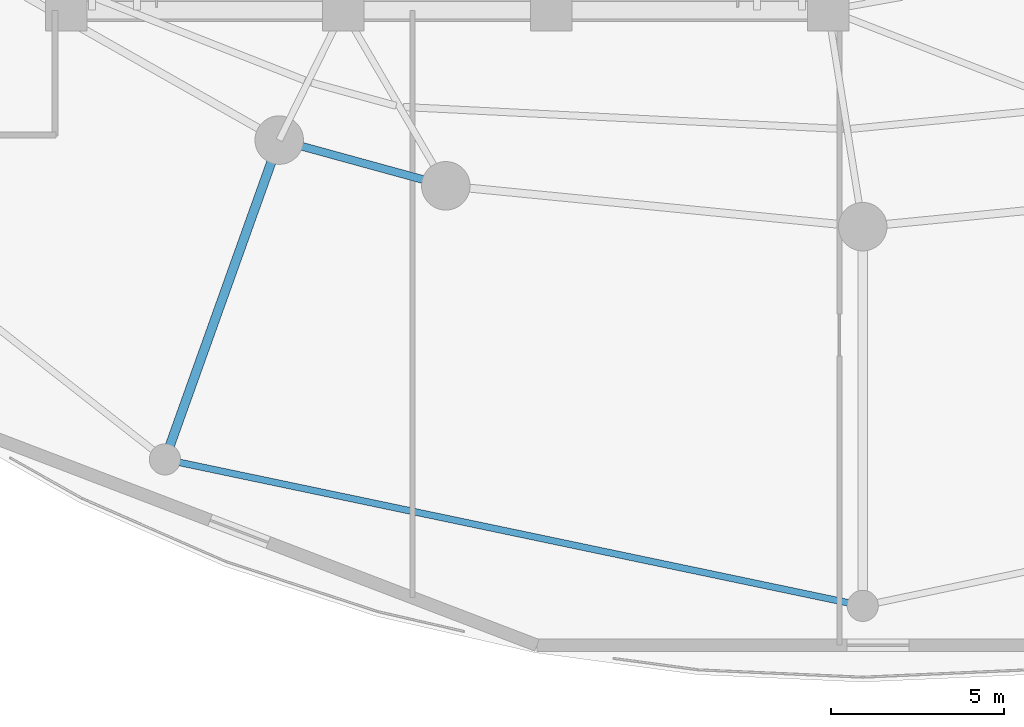
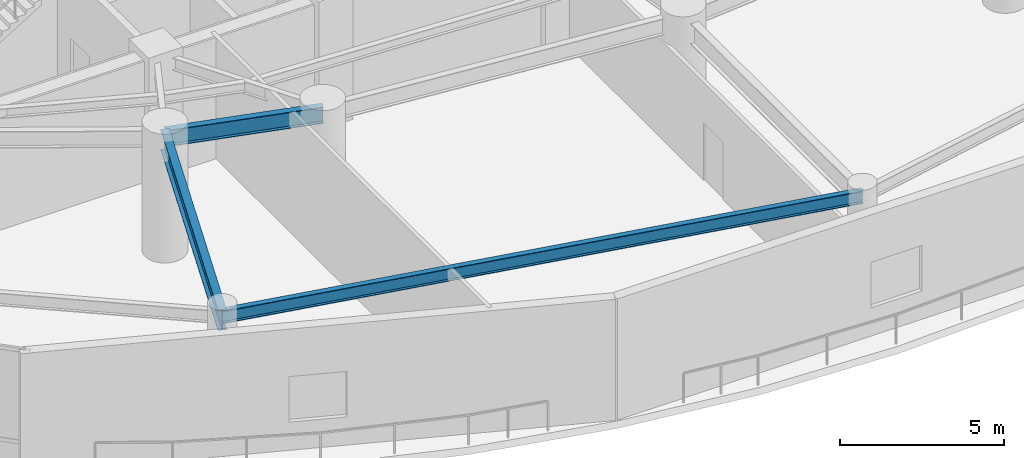
# One storey, part 3 of 40: 3 beams.
"""IFC4 building model written with IfcOpenShell, lengths in metres."""

from ifc_helpers import new_model, si_unit, direction, frame, origin, origin_2d, place, context, subcontext, project, spatial, i_section, extrude, material, material_profile, profile_set, type_object, element, save


model = new_model("IFC4")

# Units and contexts
model_context = context("Model", 3, precision=1e-05, world=origin(), true_north=direction((0.0, 1.0)))
body_context = subcontext(model_context, "Body", "Model", "MODEL_VIEW")
ifc_project = project(units=[si_unit("LENGTHUNIT", "METRE"), si_unit("AREAUNIT", "SQUARE_METRE"), si_unit("VOLUMEUNIT", "CUBIC_METRE"), si_unit("PLANEANGLEUNIT", "RADIAN"), si_unit("MASSUNIT", "GRAM", prefix="KILO")], contexts=[model_context])

# Site, building, storey
site_placement = place(None, origin())
site = spatial("IfcSite", under=ifc_project, at=site_placement, CompositionType="ELEMENT")
building_placement = place(site_placement, origin())
building = spatial("IfcBuilding", under=site, at=building_placement, Name="Kazevale Care Tower and Concert Hall", CompositionType="ELEMENT")
storey_placement = place(building_placement, frame((0.0, 0.0, 4.800048828125)))
storey = spatial("IfcBuildingStorey", under=building, at=storey_placement, Name="L01", CompositionType="ELEMENT", Elevation=4.800048828125)

# Beams
ifc_material = material(Name="Steel ASTM A572 Gr 50", Category="steel")
ifc_material_profile_1 = material_profile(ifc_material, i_section(OverallWidth=0.194091796875, OverallDepth=0.468994140625, WebThickness=0.0126953125, FlangeThickness=0.0205078125, at=origin_2d()), Name="W460x106")
ifc_profile_set_1 = profile_set([ifc_material_profile_1], Name="Steel ASTM A572 Gr 50")
beam_type_1 = type_object("IfcBeamType", Name="Podium Floor Beam W460x106", PredefinedType="BEAM", material=ifc_profile_set_1)
beam_1_placement = place(storey_placement, frame((24.85009765625, 10.6298828125, 4.285400390625), z_axis=(0.978668137727, -0.205447502293, 0.0), x_axis=(0.205447502293, 0.978668137727, 0.0)))
element("IfcBeam", 1, at=beam_1_placement, inside=storey, type_object=beam_type_1, Name="beam:L01:podring:09", PredefinedType="BEAM", context=body_context, shape_type="SweptSolid", body=[
    extrude(i_section(OverallWidth=0.194091796875, OverallDepth=0.468994140625, WebThickness=0.0126953125, FlangeThickness=0.0205078125, at=origin_2d()), origin(), (0.0, 0.0, 1.0), 20.589111328125),
])
ifc_material_profile_2 = material_profile(ifc_material, i_section(OverallWidth=0.26806640625, OverallDepth=0.77001953125, WebThickness=0.015625, FlangeThickness=0.025390625, at=origin_2d()), Name="W760x196")
ifc_profile_set_2 = profile_set([ifc_material_profile_2], Name="Steel ASTM A572 Gr 50")
beam_type_2 = type_object("IfcBeamType", Name="Podium Primary Girder W760x196", PredefinedType="BEAM", material=ifc_profile_set_2)
beam_2_placement = place(storey_placement, frame((28.14990234375, 19.85009765625, 4.135009765625), z_axis=(-0.336958566987, -0.941519476237, 0.0), x_axis=(0.941519476237, -0.336958566987, 0.0)))
element("IfcBeam", 2, at=beam_2_placement, inside=storey, type_object=beam_type_2, Name="beam:L01:podrad:09", PredefinedType="BEAM", context=body_context, shape_type="SweptSolid", body=[
    extrude(i_section(OverallWidth=0.26806640625, OverallDepth=0.77001953125, WebThickness=0.015625, FlangeThickness=0.025390625, at=origin_2d()), origin(), (0.0, 0.0, 1.0), 9.79296875),
])
ifc_material_profile_3 = material_profile(ifc_material, i_section(OverallWidth=0.22900390625, OverallDepth=0.612060546875, WebThickness=0.011962890625, FlangeThickness=0.01953125, at=origin_2d()), Name="W610x125")
ifc_profile_set_3 = profile_set([ifc_material_profile_3], Name="Steel ASTM A572 Gr 50")
beam_type_3 = type_object("IfcBeamType", Name="Ring Spandrel Beam W610x125", PredefinedType="SPANDREL", material=ifc_profile_set_3)
beam_3_placement = place(storey_placement, frame((28.14990234375, 19.85009765625, 4.2138671875), z_axis=(0.964343540473, -0.264653615031, 0.0), x_axis=(0.264653615031, 0.964343540473, 0.0)))
element("IfcBeam", 3, at=beam_3_placement, inside=storey, type_object=beam_type_3, Name="beam:L01:ring:11", PredefinedType="SPANDREL", context=body_context, shape_type="SweptSolid", body=[
    extrude(i_section(OverallWidth=0.22900390625, OverallDepth=0.612060546875, WebThickness=0.011962890625, FlangeThickness=0.01953125, at=origin_2d()), origin(), (0.0, 0.0, 1.0), 4.98779296875),
])

save(model, "model.ifc")
